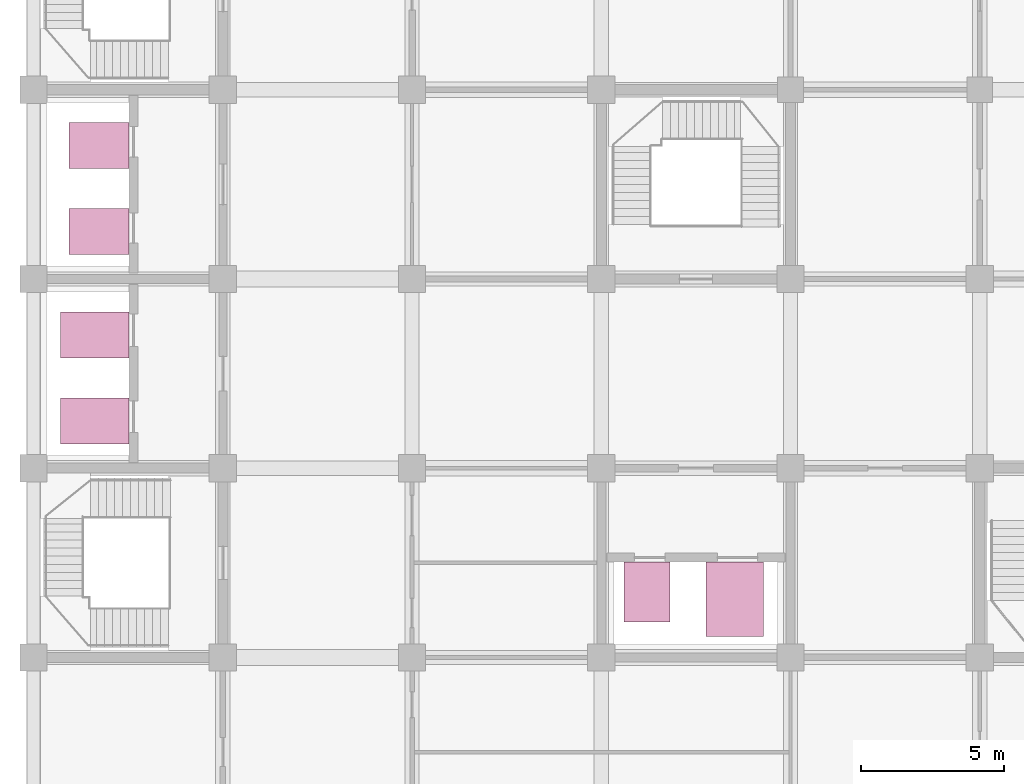
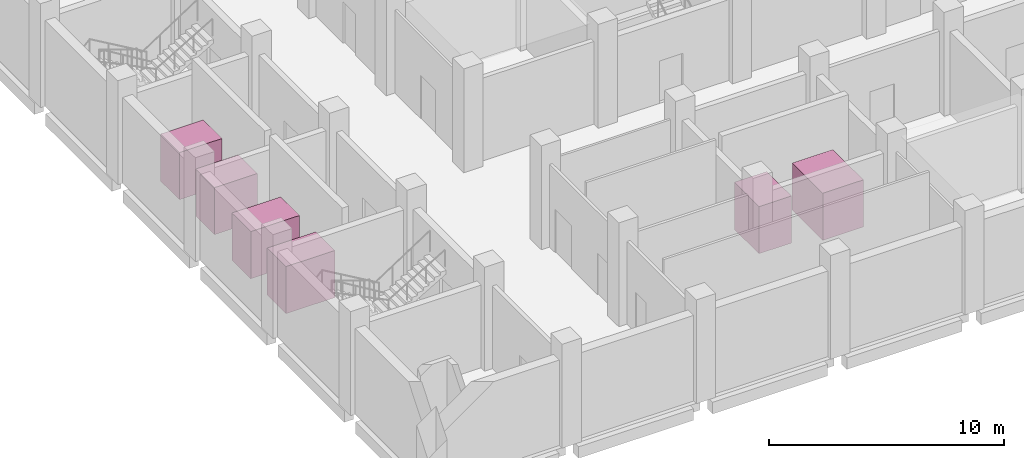
# One storey, part 28 of 28: 6 transport elements.
"""IFC4 building model written with IfcOpenShell, lengths in metres."""

from ifc_helpers import new_model, si_unit, direction, frame, frame_2d, origin, origin_with_axes, place, context, subcontext, project, spatial, rectangle, extrude, material, type_object, element, save


model = new_model("IFC4")

# Units and contexts
model_context = context("Model", 3, precision=1e-05, world=origin(), true_north=direction((0.0, 1.0)))
body_context = subcontext(model_context, "Body", "Model", "MODEL_VIEW")
ifc_project = project(units=[si_unit("LENGTHUNIT", "METRE"), si_unit("AREAUNIT", "SQUARE_METRE"), si_unit("VOLUMEUNIT", "CUBIC_METRE"), si_unit("PLANEANGLEUNIT", "RADIAN"), si_unit("MASSUNIT", "GRAM", prefix="KILO")], contexts=[model_context])

# Site, building, storey
site_placement = place(None, origin())
site = spatial("IfcSite", under=ifc_project, at=site_placement, CompositionType="ELEMENT")
building_placement = place(site_placement, origin())
building = spatial("IfcBuilding", under=site, at=building_placement, Name="Rusizi Kubbe Research Institute", CompositionType="ELEMENT")
storey_placement = place(building_placement, origin())
storey = spatial("IfcBuildingStorey", under=building, at=storey_placement, Name="L00", CompositionType="ELEMENT", Elevation=0.0)

# Transport elements
ifc_material_1 = material(Name="Stainless Steel Firefighting Lift Cab", Category="steel")
transport_element_type_1 = type_object("IfcTransportElementType", Name="LF-FF", PredefinedType="ELEVATOR", material=ifc_material_1)
transport_element_1_placement = place(storey_placement, origin_with_axes())
element("IfcTransportElement", 1, at=transport_element_1_placement, inside=storey, type_object=transport_element_type_1, Name="Firefighting and Stretcher Lift FL1", PredefinedType="ELEVATOR", context=body_context, shape_type="SweptSolid", body=[
    extrude(rectangle(XDim=2.39990234375, YDim=1.60009765625, at=frame_2d((1.199951171875, 0.800048828125))), frame((0.93505859375, 14.050048828125, 0.0), z_axis=(0.0, 0.0, 1.0), x_axis=(1.0, 0.0, 0.0)), (0.0, 0.0, 1.0), 2.449951171875),
])
transport_element_2_placement = place(storey_placement, origin_with_axes())
element("IfcTransportElement", 2, at=transport_element_2_placement, inside=storey, type_object=transport_element_type_1, Name="Firefighting and Stretcher Lift FL2", PredefinedType="ELEVATOR", context=body_context, shape_type="SweptSolid", body=[
    extrude(rectangle(XDim=2.39990234375, YDim=1.60009765625, at=frame_2d((1.199951171875, 0.800048828125))), frame((0.93505859375, 17.050048828125, 0.0), z_axis=(0.0, 0.0, 1.0), x_axis=(1.0, 0.0, 0.0)), (0.0, 0.0, 1.0), 2.449951171875),
])
ifc_material_2 = material(Name="Heavy-Duty Laboratory Goods Lift Cab", Category="steel")
transport_element_type_2 = type_object("IfcTransportElementType", Name="LF-GDS", PredefinedType="ELEVATOR", material=ifc_material_2)
transport_element_3_placement = place(storey_placement, origin_with_axes())
element("IfcTransportElement", 3, at=transport_element_3_placement, inside=storey, type_object=transport_element_type_2, Name="Laboratory Goods Lift LG1", PredefinedType="ELEVATOR", context=body_context, shape_type="SweptSolid", body=[
    extrude(rectangle(XDim=2.0, YDim=2.60009765625, at=frame_2d((1.0, 1.300048828125))), frame((23.449951171875, 7.3349609375, 0.0), z_axis=(0.0, 0.0, 1.0), x_axis=(1.0, 0.0, 0.0)), (0.0, 0.0, 1.0), 2.449951171875),
])
ifc_material_3 = material(Name="Stainless Steel Passenger Lift Cab", Category="steel")
transport_element_type_3 = type_object("IfcTransportElementType", Name="LF-PAX", PredefinedType="ELEVATOR", material=ifc_material_3)
transport_element_4_placement = place(storey_placement, origin_with_axes())
element("IfcTransportElement", 4, at=transport_element_4_placement, inside=storey, type_object=transport_element_type_3, Name="Passenger Lift LP1", PredefinedType="ELEVATOR", context=body_context, shape_type="SweptSolid", body=[
    extrude(rectangle(XDim=2.10009765625, YDim=1.60009765625, at=frame_2d((1.050048828125, 0.800048828125))), frame((1.235107421875, 20.64990234375, 0.0), z_axis=(0.0, 0.0, 1.0), x_axis=(1.0, 0.0, 0.0)), (0.0, 0.0, 1.0), 2.449951171875),
])
transport_element_5_placement = place(storey_placement, origin_with_axes())
element("IfcTransportElement", 5, at=transport_element_5_placement, inside=storey, type_object=transport_element_type_3, Name="Passenger Lift LP2", PredefinedType="ELEVATOR", context=body_context, shape_type="SweptSolid", body=[
    extrude(rectangle(XDim=2.10009765625, YDim=1.60009765625, at=frame_2d((1.050048828125, 0.800048828125))), frame((1.235107421875, 23.64990234375, 0.0), z_axis=(0.0, 0.0, 1.0), x_axis=(1.0, 0.0, 0.0)), (0.0, 0.0, 1.0), 2.449951171875),
])
transport_element_6_placement = place(storey_placement, origin_with_axes())
element("IfcTransportElement", 6, at=transport_element_6_placement, inside=storey, type_object=transport_element_type_3, Name="Passenger Lift LP3", PredefinedType="ELEVATOR", context=body_context, shape_type="SweptSolid", body=[
    extrude(rectangle(XDim=1.60009765625, YDim=2.10009765625, at=frame_2d((0.800048828125, 1.050048828125))), frame((20.60009765625, 7.8349609375, 0.0), z_axis=(0.0, 0.0, 1.0), x_axis=(1.0, 0.0, 0.0)), (0.0, 0.0, 1.0), 2.449951171875),
])

save(model, "model.ifc")
